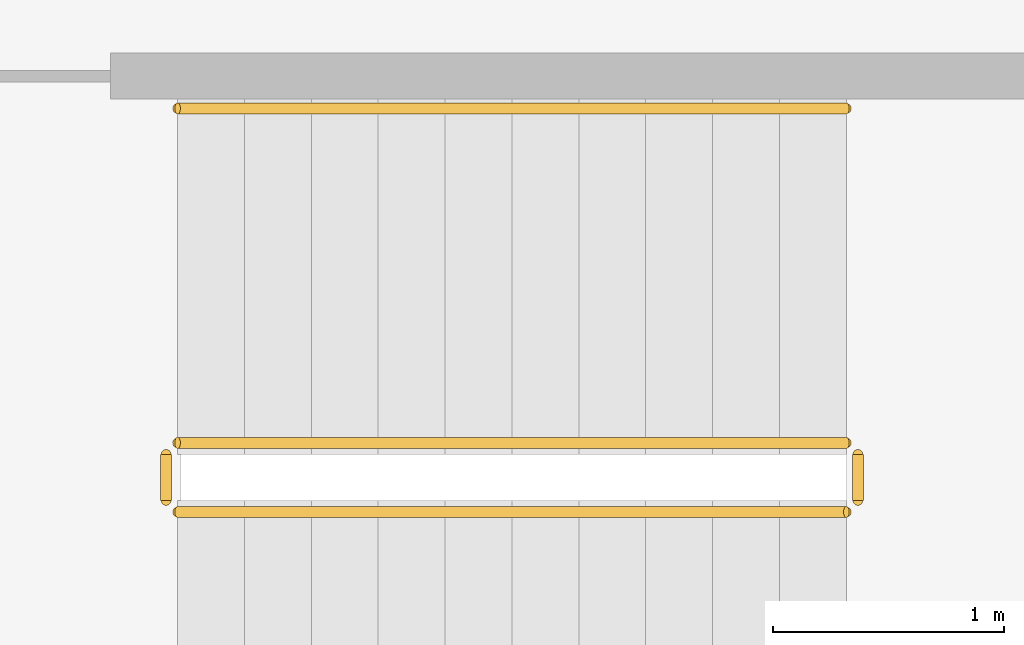
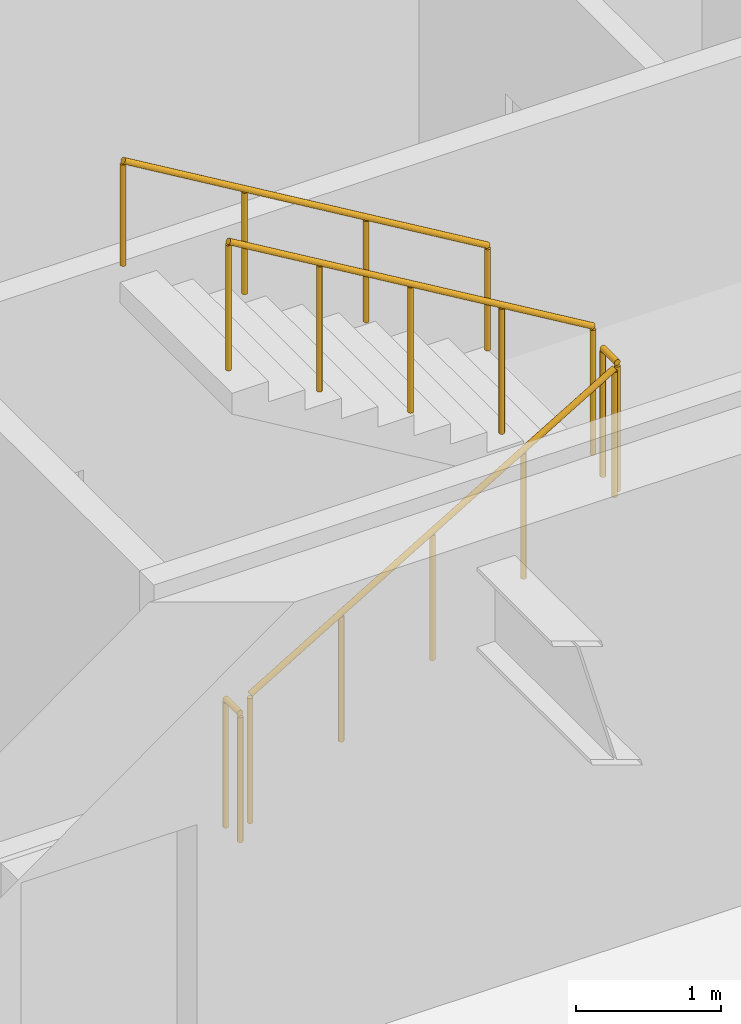
# One storey, part 23 of 24: 5 railings.
"""IFC4 building model written with IfcOpenShell, lengths in metres."""

from ifc_helpers import new_model, si_unit, direction, frame, origin, origin_2d, place, context, subcontext, project, spatial, circle, extrude, material, type_object, element, save


model = new_model("IFC4")

# Units and contexts
model_context = context("Model", 3, precision=1e-05, world=origin(), true_north=direction((0.0, 1.0)))
body_context = subcontext(model_context, "Body", "Model", "MODEL_VIEW")
ifc_project = project(units=[si_unit("LENGTHUNIT", "METRE"), si_unit("AREAUNIT", "SQUARE_METRE"), si_unit("VOLUMEUNIT", "CUBIC_METRE"), si_unit("PLANEANGLEUNIT", "RADIAN"), si_unit("MASSUNIT", "GRAM", prefix="KILO")], contexts=[model_context])

# Site, building, storey
site_placement = place(None, origin())
site = spatial("IfcSite", under=ifc_project, at=site_placement, CompositionType="ELEMENT")
building_placement = place(site_placement, origin())
building = spatial("IfcBuilding", under=site, at=building_placement, Name="Putna Gate Headquarters", CompositionType="ELEMENT")
storey_placement = place(building_placement, frame((0.0, 0.0, 248.0)))
storey = spatial("IfcBuildingStorey", under=building, at=storey_placement, Name="L62", CompositionType="ELEMENT", Elevation=248.0)

# Railings
ifc_material_1 = material(Name="Powder-coated steel stair guardrail", Category="steel")
railing_type_1 = type_object("IfcRailingType", Name="RAIL-STAIR-GUARD-1100", PredefinedType="GUARDRAIL", material=ifc_material_1)
railing_1_placement = place(storey_placement, frame((57.89990234375, 21.10009765625, 0.172607421875)))
element("IfcRailing", 1, at=railing_1_placement, inside=storey, type_object=railing_type_1, Name="L62 ST2 stair guard 1", PredefinedType="GUARDRAIL", context=body_context, shape_type="SweptSolid", body=[
    extrude(circle(Radius=0.02392578125, at=origin_2d()), frame((0.0, 0.0, 1.076171875), z_axis=(0.859160404282, 0.0, 0.51170636083), x_axis=(0.0, 1.0, 0.0)), (0.0, 0.0, 1.0), 3.37548828125),
    extrude(circle(Radius=0.02099609375, at=origin_2d()), origin(), (0.0, 0.0, 1.0), 1.052001953125),
    extrude(circle(Radius=0.02099609375, at=origin_2d()), frame((0.72509765625, 0.0, 0.431884765625)), (0.0, 0.0, 1.0), 1.052001953125),
    extrude(circle(Radius=0.02099609375, at=origin_2d()), frame((1.4501953125, 0.0, 0.86376953125)), (0.0, 0.0, 1.0), 1.052001953125),
    extrude(circle(Radius=0.02099609375, at=origin_2d()), frame((2.175048828125, 0.0, 1.29541015625)), (0.0, 0.0, 1.0), 1.052001953125),
    extrude(circle(Radius=0.02099609375, at=origin_2d()), frame((2.900146484375, 0.0, 1.727294921875)), (0.0, 0.0, 1.0), 1.052001953125),
])
railing_2_placement = place(storey_placement, frame((60.85009765625, 21.14990234375, 1.89990234375)))
element("IfcRailing", 2, at=railing_2_placement, inside=storey, type_object=railing_type_1, Name="L62 ST2 stair guard 2", PredefinedType="GUARDRAIL", context=body_context, shape_type="SweptSolid", body=[
    extrude(circle(Radius=0.02392578125, at=origin_2d()), frame((0.0, 0.0, 1.076171875), z_axis=(0.0, 1.0, 0.0), x_axis=(-1.0, 0.0, 0.0)), (0.0, 0.0, 1.0), 0.2001953125),
    extrude(circle(Radius=0.02099609375, at=origin_2d()), origin(), (0.0, 0.0, 1.0), 1.052001953125),
    extrude(circle(Radius=0.02099609375, at=origin_2d()), frame((0.0, 0.2001953125, 0.0)), (0.0, 0.0, 1.0), 1.052001953125),
])
railing_3_placement = place(storey_placement, frame((60.800048828125, 21.39990234375, 2.07275390625)))
element("IfcRailing", 3, at=railing_3_placement, inside=storey, type_object=railing_type_1, Name="L62 ST2 stair guard 3", PredefinedType="GUARDRAIL", context=body_context, shape_type="SweptSolid", body=[
    extrude(circle(Radius=0.02392578125, at=origin_2d()), frame((0.0, 0.0, 1.076171875), z_axis=(-0.859160404282, 0.0, 0.51170636083), x_axis=(0.0, -1.0, 0.0)), (0.0, 0.0, 1.0), 3.37548828125),
    extrude(circle(Radius=0.02099609375, at=origin_2d()), origin(), (0.0, 0.0, 1.0), 1.052001953125),
    extrude(circle(Radius=0.02099609375, at=origin_2d()), frame((-0.72509765625, 0.0, 0.431884765625)), (0.0, 0.0, 1.0), 1.052001953125),
    extrude(circle(Radius=0.02099609375, at=origin_2d()), frame((-1.4501953125, 0.0, 0.86376953125)), (0.0, 0.0, 1.0), 1.052001953125),
    extrude(circle(Radius=0.02099609375, at=origin_2d()), frame((-2.175048828125, 0.0, 1.29541015625)), (0.0, 0.0, 1.0), 1.052001953125),
    extrude(circle(Radius=0.02099609375, at=origin_2d()), frame((-2.900146484375, 0.0, 1.727294921875)), (0.0, 0.0, 1.0), 1.052001953125),
])
railing_4_placement = place(storey_placement, frame((57.85009765625, 21.14990234375, 0.0)))
element("IfcRailing", 4, at=railing_4_placement, inside=storey, type_object=railing_type_1, Name="L62 ST2 stair guard 4", PredefinedType="GUARDRAIL", context=body_context, shape_type="SweptSolid", body=[
    extrude(circle(Radius=0.02392578125, at=origin_2d()), frame((0.0, 0.0, 1.076171875), z_axis=(0.0, 1.0, 0.0), x_axis=(-1.0, 0.0, 0.0)), (0.0, 0.0, 1.0), 0.2001953125),
    extrude(circle(Radius=0.02099609375, at=origin_2d()), origin(), (0.0, 0.0, 1.0), 1.052001953125),
    extrude(circle(Radius=0.02099609375, at=origin_2d()), frame((0.0, 0.2001953125, 0.0)), (0.0, 0.0, 1.0), 1.052001953125),
])
ifc_material_2 = material(Name="Brushed stainless steel handrail", Category="steel")
railing_type_2 = type_object("IfcRailingType", Name="RAIL-STAIR-HAND-900", PredefinedType="HANDRAIL", material=ifc_material_2)
railing_5_placement = place(storey_placement, frame((60.800048828125, 22.85009765625, 2.07275390625)))
element("IfcRailing", 5, at=railing_5_placement, inside=storey, type_object=railing_type_2, Name="L62 ST2 stair handrail 2", PredefinedType="HANDRAIL", context=body_context, shape_type="SweptSolid", body=[
    extrude(circle(Radius=0.02392578125, at=origin_2d()), frame((0.0, 0.0, 0.8759765625), z_axis=(-0.859160404282, 0.0, 0.51170636083), x_axis=(0.0, -1.0, 0.0)), (0.0, 0.0, 1.0), 3.37548828125),
    extrude(circle(Radius=0.02099609375, at=origin_2d()), origin(), (0.0, 0.0, 1.0), 0.851806640625),
    extrude(circle(Radius=0.02099609375, at=origin_2d()), frame((-0.966796875, 0.0, 0.57568359375)), (0.0, 0.0, 1.0), 0.851806640625),
    extrude(circle(Radius=0.02099609375, at=origin_2d()), frame((-1.933349609375, 0.0, 1.151611328125)), (0.0, 0.0, 1.0), 0.851806640625),
    extrude(circle(Radius=0.02099609375, at=origin_2d()), frame((-2.900146484375, 0.0, 1.727294921875)), (0.0, 0.0, 1.0), 0.851806640625),
])

save(model, "model.ifc")
